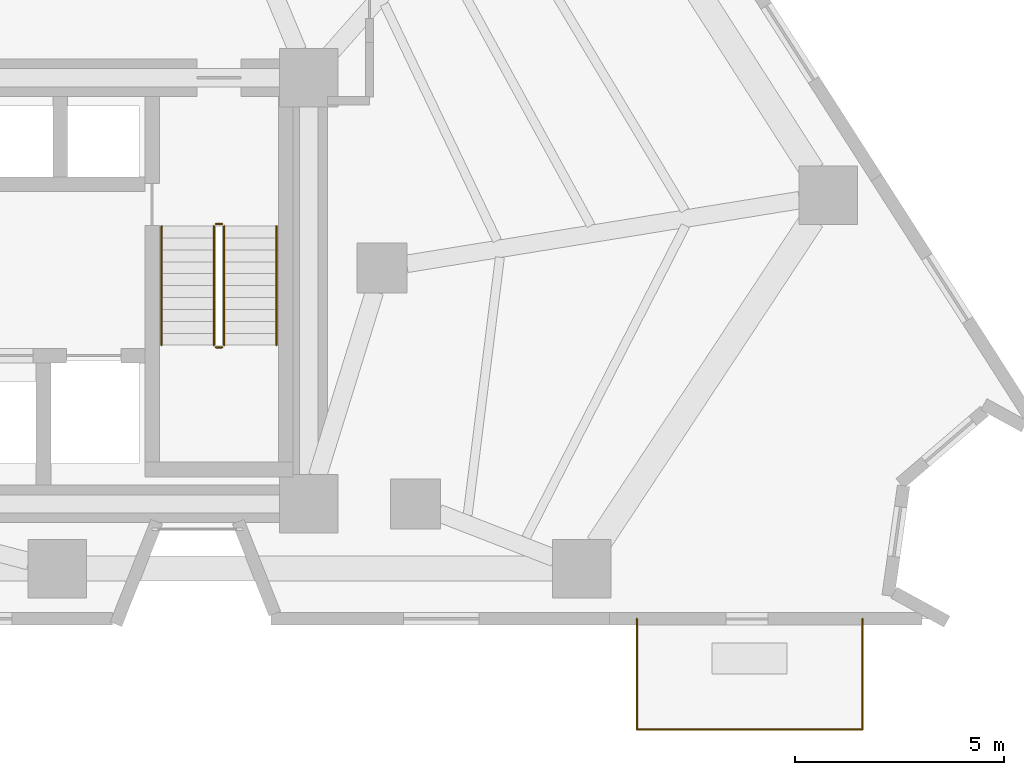
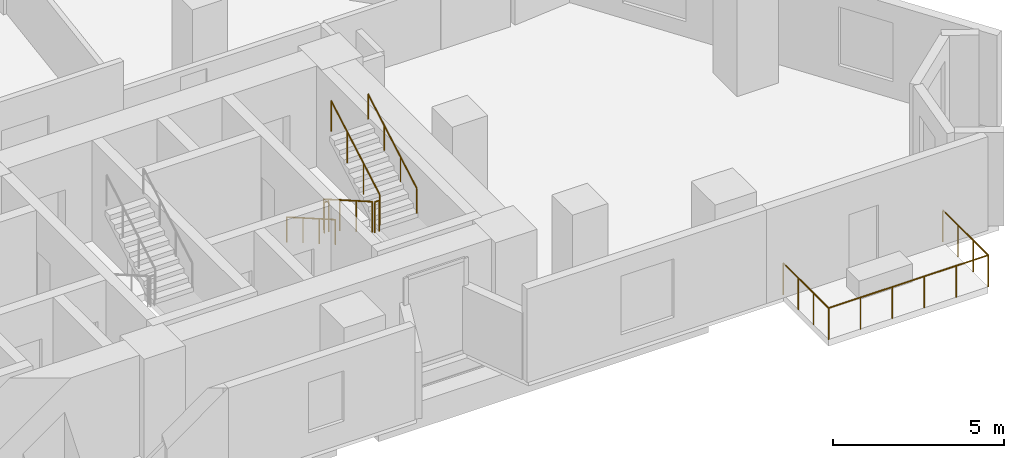
# One storey, part 12 of 13: 7 railings.
"""IFC4 building model written with IfcOpenShell, lengths in metres."""

from ifc_helpers import new_model, si_unit, direction, frame, origin, origin_2d, place, context, subcontext, project, spatial, circle, extrude, material, type_object, element, save


model = new_model("IFC4")

# Units and contexts
model_context = context("Model", 3, precision=1e-05, world=origin(), true_north=direction((0.0, 1.0)))
body_context = subcontext(model_context, "Body", "Model", "MODEL_VIEW")
ifc_project = project(units=[si_unit("LENGTHUNIT", "METRE"), si_unit("AREAUNIT", "SQUARE_METRE"), si_unit("VOLUMEUNIT", "CUBIC_METRE"), si_unit("PLANEANGLEUNIT", "RADIAN"), si_unit("MASSUNIT", "GRAM", prefix="KILO")], contexts=[model_context])

# Site, building, storey
site_placement = place(None, origin())
site = spatial("IfcSite", under=ifc_project, at=site_placement, CompositionType="ELEMENT")
building_placement = place(site_placement, origin())
building = spatial("IfcBuilding", under=site, at=building_placement, Name="Almagre Mirador Tower", CompositionType="ELEMENT")
storey_placement = place(building_placement, frame((0.0, 0.0, 42.60009765625)))
storey = spatial("IfcBuildingStorey", under=building, at=storey_placement, Name="L09", CompositionType="ELEMENT", Elevation=42.60009765625)

# Railings
ifc_material_1 = material(Name="Black anodized aluminium", Category="aluminium")
railing_type_1 = type_object("IfcRailingType", Name="RLG-BAL-1150", PredefinedType="BALUSTRADE", material=ifc_material_1)
railing_1_placement = place(storey_placement, frame((54.89990234375, 1.800048828125, 0.0)))
element("IfcRailing", 1, at=railing_1_placement, inside=storey, type_object=railing_type_1, Name="L09 south balcony balustrade 1", PredefinedType="BALUSTRADE", context=body_context, shape_type="SweptSolid", body=[
    extrude(circle(Radius=0.02392578125, at=origin_2d()), frame((0.0, 0.0, 1.1259765625), z_axis=(0.0, -1.0, 0.0), x_axis=(1.0, 0.0, 0.0)), (0.0, 0.0, 1.0), 2.650146484375),
    extrude(circle(Radius=0.02392578125, at=origin_2d()), frame((0.0, -2.650146484375, 1.1259765625), z_axis=(1.0, 0.0, 0.0), x_axis=(0.0, 1.0, 0.0)), (0.0, 0.0, 1.0), 5.400146484375),
    extrude(circle(Radius=0.02392578125, at=origin_2d()), frame((5.400146484375, -2.650146484375, 1.1259765625), z_axis=(0.0, 1.0, 0.0), x_axis=(-1.0, 0.0, 0.0)), (0.0, 0.0, 1.0), 2.650146484375),
    extrude(circle(Radius=0.02099609375, at=origin_2d()), origin(), (0.0, 0.0, 1.0), 1.101806640625),
    extrude(circle(Radius=0.02099609375, at=origin_2d()), frame((0.0, -0.88330078125, 0.0)), (0.0, 0.0, 1.0), 1.101806640625),
    extrude(circle(Radius=0.02099609375, at=origin_2d()), frame((0.0, -1.766845703125, 0.0)), (0.0, 0.0, 1.0), 1.101806640625),
    extrude(circle(Radius=0.02099609375, at=origin_2d()), frame((0.0, -2.650146484375, 0.0)), (0.0, 0.0, 1.0), 1.101806640625),
    extrude(circle(Radius=0.02099609375, at=origin_2d()), frame((1.080078125, -2.650146484375, 0.0)), (0.0, 0.0, 1.0), 1.101806640625),
    extrude(circle(Radius=0.02099609375, at=origin_2d()), frame((2.16015625, -2.650146484375, 0.0)), (0.0, 0.0, 1.0), 1.101806640625),
    extrude(circle(Radius=0.02099609375, at=origin_2d()), frame((3.239990234375, -2.650146484375, 0.0)), (0.0, 0.0, 1.0), 1.101806640625),
    extrude(circle(Radius=0.02099609375, at=origin_2d()), frame((4.320068359375, -2.650146484375, 0.0)), (0.0, 0.0, 1.0), 1.101806640625),
    extrude(circle(Radius=0.02099609375, at=origin_2d()), frame((5.400146484375, -2.650146484375, 0.0)), (0.0, 0.0, 1.0), 1.101806640625),
    extrude(circle(Radius=0.02099609375, at=origin_2d()), frame((5.400146484375, -1.766845703125, 0.0)), (0.0, 0.0, 1.0), 1.101806640625),
    extrude(circle(Radius=0.02099609375, at=origin_2d()), frame((5.400146484375, -0.88330078125, 0.0)), (0.0, 0.0, 1.0), 1.101806640625),
    extrude(circle(Radius=0.02099609375, at=origin_2d()), frame((5.400146484375, 0.0, 0.0)), (0.0, 0.0, 1.0), 1.101806640625),
])
ifc_material_2 = material(Name="Painted galvanized steel", Category="steel")
railing_type_2 = type_object("IfcRailingType", Name="RLG-GRD-1100", PredefinedType="GUARDRAIL", material=ifc_material_2)
railing_2_placement = place(storey_placement, frame((44.77490234375, 11.199951171875, 0.16357421875)))
element("IfcRailing", 2, at=railing_2_placement, inside=storey, type_object=railing_type_2, Name="L09 ST-3 stair guard 1", PredefinedType="GUARDRAIL", context=body_context, shape_type="SweptSolid", body=[
    extrude(circle(Radius=0.02392578125, at=origin_2d()), frame((0.0, 0.0, 1.09619140625), z_axis=(0.0, -0.867226363773, 0.497914082927), x_axis=(1.0, 0.0, 0.0)), (0.0, 0.0, 1.0), 3.2861328125),
    extrude(circle(Radius=0.02099609375, at=origin_2d()), origin(), (0.0, 0.0, 1.0), 1.072021484375),
    extrude(circle(Radius=0.02099609375, at=origin_2d()), frame((0.0, -0.949951171875, 0.54541015625)), (0.0, 0.0, 1.0), 1.072021484375),
    extrude(circle(Radius=0.02099609375, at=origin_2d()), frame((0.0, -1.89990234375, 1.0908203125)), (0.0, 0.0, 1.0), 1.072021484375),
    extrude(circle(Radius=0.02099609375, at=origin_2d()), frame((0.0, -2.849853515625, 1.63623046875)), (0.0, 0.0, 1.0), 1.072021484375),
])
railing_3_placement = place(storey_placement, frame((44.824951171875, 8.300048828125, 1.7998046875)))
element("IfcRailing", 3, at=railing_3_placement, inside=storey, type_object=railing_type_2, Name="L09 ST-3 stair guard 2", PredefinedType="GUARDRAIL", context=body_context, shape_type="SweptSolid", body=[
    extrude(circle(Radius=0.02392578125, at=origin_2d()), frame((0.0, 0.0, 1.09619140625), z_axis=(1.0, 0.0, 0.0), x_axis=(0.0, 1.0, 0.0)), (0.0, 0.0, 1.0), 0.150146484375),
    extrude(circle(Radius=0.02099609375, at=origin_2d()), origin(), (0.0, 0.0, 1.0), 1.072021484375),
    extrude(circle(Radius=0.02099609375, at=origin_2d()), frame((0.150146484375, 0.0, 0.0)), (0.0, 0.0, 1.0), 1.072021484375),
])
railing_4_placement = place(storey_placement, frame((45.02490234375, 8.35009765625, 1.963623046875)))
element("IfcRailing", 4, at=railing_4_placement, inside=storey, type_object=railing_type_2, Name="L09 ST-3 stair guard 3", PredefinedType="GUARDRAIL", context=body_context, shape_type="SweptSolid", body=[
    extrude(circle(Radius=0.02392578125, at=origin_2d()), frame((0.0, 0.0, 1.09619140625), z_axis=(0.0, 0.867226363773, 0.497914082927), x_axis=(-1.0, 0.0, 0.0)), (0.0, 0.0, 1.0), 3.2861328125),
    extrude(circle(Radius=0.02099609375, at=origin_2d()), origin(), (0.0, 0.0, 1.0), 1.072021484375),
    extrude(circle(Radius=0.02099609375, at=origin_2d()), frame((0.0, 0.949951171875, 0.54541015625)), (0.0, 0.0, 1.0), 1.072021484375),
    extrude(circle(Radius=0.02099609375, at=origin_2d()), frame((0.0, 1.89990234375, 1.0908203125)), (0.0, 0.0, 1.0), 1.072021484375),
    extrude(circle(Radius=0.02099609375, at=origin_2d()), frame((0.0, 2.849853515625, 1.63623046875)), (0.0, 0.0, 1.0), 1.072021484375),
])
railing_5_placement = place(storey_placement, frame((44.824951171875, 11.25, 0.0)))
element("IfcRailing", 5, at=railing_5_placement, inside=storey, type_object=railing_type_2, Name="L09 ST-3 stair guard 4", PredefinedType="GUARDRAIL", context=body_context, shape_type="SweptSolid", body=[
    extrude(circle(Radius=0.02392578125, at=origin_2d()), frame((0.0, 0.0, 1.09619140625), z_axis=(1.0, 0.0, 0.0), x_axis=(0.0, 1.0, 0.0)), (0.0, 0.0, 1.0), 0.150146484375),
    extrude(circle(Radius=0.02099609375, at=origin_2d()), origin(), (0.0, 0.0, 1.0), 1.072021484375),
    extrude(circle(Radius=0.02099609375, at=origin_2d()), frame((0.150146484375, 0.0, 0.0)), (0.0, 0.0, 1.0), 1.072021484375),
])
ifc_material_3 = material(Name="Brushed stainless steel", Category="steel")
railing_type_3 = type_object("IfcRailingType", Name="RLG-HND-915", PredefinedType="HANDRAIL", material=ifc_material_3)
railing_6_placement = place(storey_placement, frame((43.52490234375, 11.199951171875, 0.16357421875)))
element("IfcRailing", 6, at=railing_6_placement, inside=storey, type_object=railing_type_3, Name="L09 ST-3 stair handrail 1", PredefinedType="HANDRAIL", context=body_context, shape_type="SweptSolid", body=[
    extrude(circle(Radius=0.02392578125, at=origin_2d()), frame((0.0, 0.0, 0.89111328125), z_axis=(0.0, -0.867226363773, 0.497914082927), x_axis=(1.0, 0.0, 0.0)), (0.0, 0.0, 1.0), 3.2861328125),
    extrude(circle(Radius=0.02099609375, at=origin_2d()), origin(), (0.0, 0.0, 1.0), 0.866943359375),
    extrude(circle(Radius=0.02099609375, at=origin_2d()), frame((0.0, -0.949951171875, 0.54541015625)), (0.0, 0.0, 1.0), 0.866943359375),
    extrude(circle(Radius=0.02099609375, at=origin_2d()), frame((0.0, -1.89990234375, 1.0908203125)), (0.0, 0.0, 1.0), 0.866943359375),
    extrude(circle(Radius=0.02099609375, at=origin_2d()), frame((0.0, -2.849853515625, 1.63623046875)), (0.0, 0.0, 1.0), 0.866943359375),
])
railing_7_placement = place(storey_placement, frame((46.27490234375, 8.35009765625, 1.963623046875)))
element("IfcRailing", 7, at=railing_7_placement, inside=storey, type_object=railing_type_3, Name="L09 ST-3 stair handrail 2", PredefinedType="HANDRAIL", context=body_context, shape_type="SweptSolid", body=[
    extrude(circle(Radius=0.02392578125, at=origin_2d()), frame((0.0, 0.0, 0.89111328125), z_axis=(0.0, 0.867226363773, 0.497914082927), x_axis=(-1.0, 0.0, 0.0)), (0.0, 0.0, 1.0), 3.2861328125),
    extrude(circle(Radius=0.02099609375, at=origin_2d()), origin(), (0.0, 0.0, 1.0), 0.866943359375),
    extrude(circle(Radius=0.02099609375, at=origin_2d()), frame((0.0, 0.949951171875, 0.54541015625)), (0.0, 0.0, 1.0), 0.866943359375),
    extrude(circle(Radius=0.02099609375, at=origin_2d()), frame((0.0, 1.89990234375, 1.0908203125)), (0.0, 0.0, 1.0), 0.866943359375),
    extrude(circle(Radius=0.02099609375, at=origin_2d()), frame((0.0, 2.849853515625, 1.63623046875)), (0.0, 0.0, 1.0), 0.866943359375),
])

save(model, "model.ifc")
